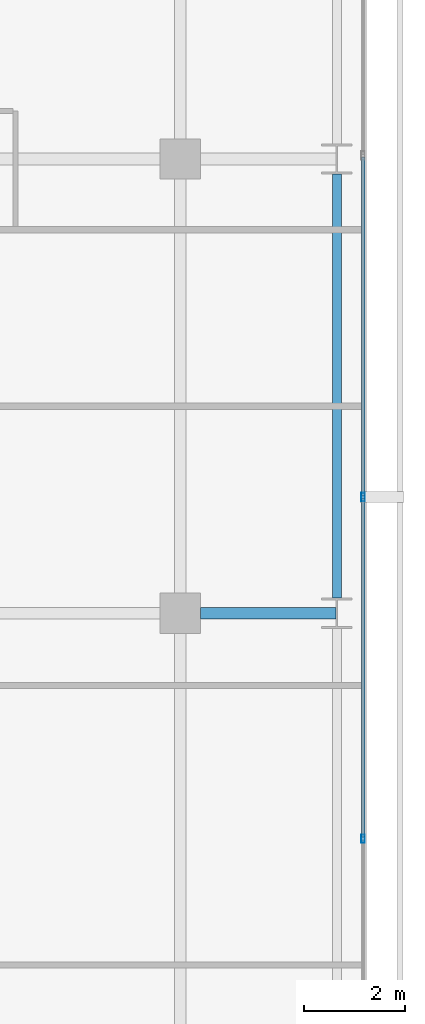
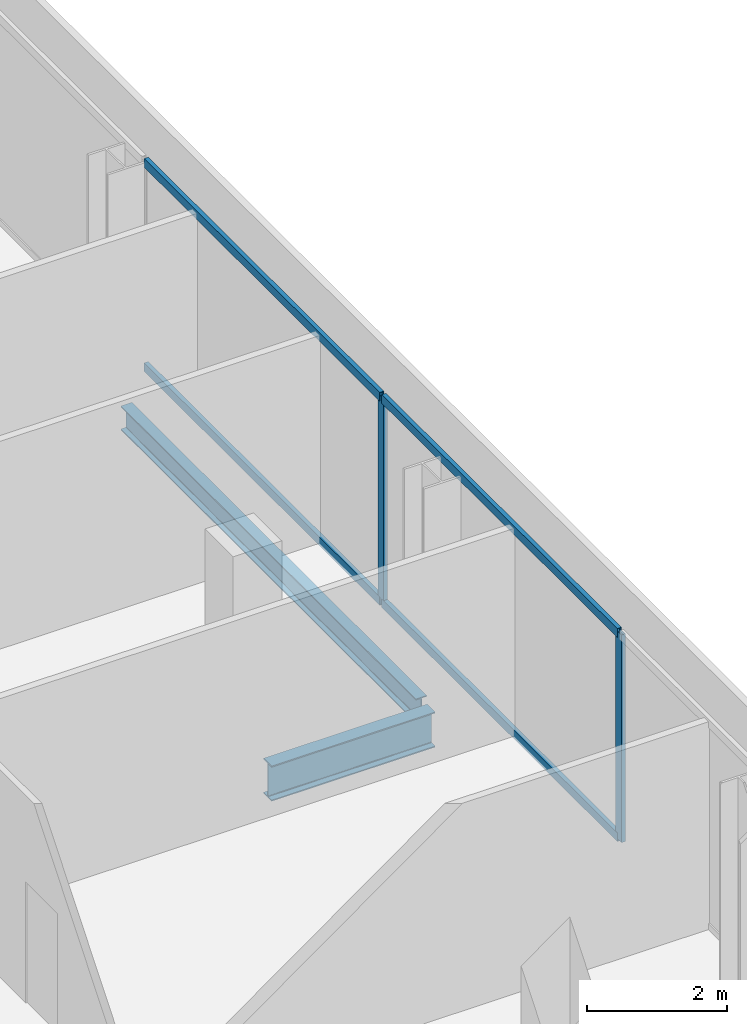
# One storey, part 17 of 33: 6 members, 2 beams, 1 element without a shape of its own.
"""IFC4 building model written with IfcOpenShell, lengths in metres."""

from ifc_helpers import new_model, si_unit, direction, frame, origin, origin_2d, place, context, subcontext, project, spatial, hollow_rectangle, i_section, extrude, material, layer, layer_set, material_profile, profile_set, type_object, element, aggregate, save


model = new_model("IFC4")

# Units and contexts
model_context = context("Model", 3, precision=1e-05, world=origin(), true_north=direction((0.0, 1.0)))
body_context = subcontext(model_context, "Body", "Model", "MODEL_VIEW")
ifc_project = project(units=[si_unit("LENGTHUNIT", "METRE"), si_unit("AREAUNIT", "SQUARE_METRE"), si_unit("VOLUMEUNIT", "CUBIC_METRE"), si_unit("PLANEANGLEUNIT", "RADIAN"), si_unit("MASSUNIT", "GRAM", prefix="KILO")], contexts=[model_context])

# Site, building, storey
site_placement = place(None, origin())
site = spatial("IfcSite", under=ifc_project, at=site_placement, CompositionType="ELEMENT")
building_placement = place(site_placement, origin())
building = spatial("IfcBuilding", under=site, at=building_placement, Name="Maruvema Waterfront Hotel and Observation Tower", CompositionType="ELEMENT")
storey_placement = place(building_placement, frame((0.0, 0.0, 154.35009765625)))
storey = spatial("IfcBuildingStorey", under=building, at=storey_placement, Name="L37", CompositionType="ELEMENT", Elevation=154.35009765625)

# Curtain wall, members
ifc_material_1 = material(Name="Anodised bronze aluminium and solar-control low-E IGU", Category="aluminium")
ifc_layer = layer(ifc_material_1, 0.159912109375, Name="Zone 2 Amber Inner Thermal Curtain Wall System CW-03")
ifc_layer_set = layer_set([ifc_layer], Name="Anodised bronze aluminium and solar-control low-E IGU")
curtain_wall_type = type_object("IfcCurtainWallType", Name="Zone 2 Amber Inner Thermal Curtain Wall System CW-03", PredefinedType="USERDEFINED", material=ifc_layer_set)
curtain_wall_placement = place(storey_placement, origin())
curtain_wall = element("IfcCurtainWall", 1, at=curtain_wall_placement, inside=storey, type_object=curtain_wall_type, Name="L37 Curtain Wall CW-L37-E", ObjectType="UNITISED CURTAIN WALL", PredefinedType="USERDEFINED")
ifc_material_2 = material(Name="Anodised architectural bronze aluminium", Category="aluminium")
ifc_material_profile_1 = material_profile(ifc_material_2, hollow_rectangle(XDim=0.070068359375, YDim=0.14990234375, WallThickness=0.00390625, at=origin_2d()), Name="ALU-T70x150")
ifc_profile_set_1 = profile_set([ifc_material_profile_1], Name="Anodised architectural bronze aluminium")
member_type_1 = type_object("IfcMemberType", Name="Curtain Wall Horizontal Transom ALU-T70x150", PredefinedType="USERDEFINED", material=ifc_profile_set_1)
member_1_placement = place(storey_placement, frame((62.419921875, 22.563232421875, 0.02978515625), z_axis=(0.0, 1.0, 0.0), x_axis=(-1.0, 0.0, 0.0)))
member_1 = element("IfcMember", 2, at=member_1_placement, type_object=member_type_1, Name="CW-03 transom 3.1", ObjectType="TRANSOM", PredefinedType="USERDEFINED", context=body_context, shape_type="SweptSolid", body=[
    extrude(hollow_rectangle(XDim=0.070068359375, YDim=0.14990234375, WallThickness=0.00390625, at=origin_2d()), origin(), (0.0, 0.0, 1.0), 6.706787109375),
])
member_2_placement = place(storey_placement, frame((62.419921875, 22.563232421875, 3.579833984375), z_axis=(0.0, 1.0, 0.0), x_axis=(-1.0, 0.0, 0.0)))
member_2 = element("IfcMember", 3, at=member_2_placement, type_object=member_type_1, Name="CW-03 transom 3.2", ObjectType="TRANSOM", PredefinedType="USERDEFINED", context=body_context, shape_type="SweptSolid", body=[
    extrude(hollow_rectangle(XDim=0.070068359375, YDim=0.14990234375, WallThickness=0.00390625, at=origin_2d()), origin(), (0.0, 0.0, 1.0), 6.706787109375),
])
member_3_placement = place(storey_placement, frame((62.419921875, 29.330078125, 0.02978515625), z_axis=(0.0, 1.0, 0.0), x_axis=(-1.0, 0.0, 0.0)))
member_3 = element("IfcMember", 4, at=member_3_placement, type_object=member_type_1, Name="CW-03 transom 4.1", ObjectType="TRANSOM", PredefinedType="USERDEFINED", context=body_context, shape_type="SweptSolid", body=[
    extrude(hollow_rectangle(XDim=0.070068359375, YDim=0.14990234375, WallThickness=0.00390625, at=origin_2d()), origin(), (0.0, 0.0, 1.0), 6.70654296875),
])
member_4_placement = place(storey_placement, frame((62.419921875, 29.330078125, 3.579833984375), z_axis=(0.0, 1.0, 0.0), x_axis=(-1.0, 0.0, 0.0)))
member_4 = element("IfcMember", 5, at=member_4_placement, type_object=member_type_1, Name="CW-03 transom 4.2", ObjectType="TRANSOM", PredefinedType="USERDEFINED", context=body_context, shape_type="SweptSolid", body=[
    extrude(hollow_rectangle(XDim=0.070068359375, YDim=0.14990234375, WallThickness=0.00390625, at=origin_2d()), origin(), (0.0, 0.0, 1.0), 6.70654296875),
])
ifc_material_3 = material(Name="Anodised architectural bronze aluminium", Category="aluminium")
ifc_material_profile_2 = material_profile(ifc_material_3, hollow_rectangle(XDim=0.06494140625, YDim=0.1650390625, WallThickness=0.00390625, at=origin_2d()), Name="ALU-M65x165")
ifc_profile_set_2 = profile_set([ifc_material_profile_2], Name="Anodised architectural bronze aluminium")
member_type_2 = type_object("IfcMemberType", Name="Curtain Wall Primary Mullion ALU-M65x165", PredefinedType="MULLION", material=ifc_profile_set_2)
member_5_placement = place(storey_placement, frame((62.419921875, 22.533447265625, 0.0), z_axis=(0.0, 0.0, 1.0), x_axis=(-1.0, 0.0, 0.0)))
member_5 = element("IfcMember", 6, at=member_5_placement, type_object=member_type_2, Name="CW-03 mullion 3", PredefinedType="MULLION", context=body_context, shape_type="SweptSolid", body=[
    extrude(hollow_rectangle(XDim=0.06494140625, YDim=0.1650390625, WallThickness=0.00390625, at=origin_2d()), origin(), (0.0, 0.0, 1.0), 3.60986328125),
])
member_6_placement = place(storey_placement, frame((62.419921875, 29.300048828125, 0.0), z_axis=(0.0, 0.0, 1.0), x_axis=(-1.0, 0.0, 0.0)))
member_6 = element("IfcMember", 7, at=member_6_placement, type_object=member_type_2, Name="CW-03 mullion 4", PredefinedType="MULLION", context=body_context, shape_type="SweptSolid", body=[
    extrude(hollow_rectangle(XDim=0.06494140625, YDim=0.1650390625, WallThickness=0.00390625, at=origin_2d()), origin(), (0.0, 0.0, 1.0), 3.60986328125),
])
aggregate(curtain_wall, [member_5, member_6, member_1, member_2, member_3, member_4])

# Beams
ifc_material_4 = material(Name="Steel ASTM A572 Grade 50", Category="steel")
ifc_material_profile_3 = material_profile(ifc_material_4, i_section(OverallWidth=0.180908203125, OverallDepth=0.4169921875, WebThickness=0.010986328125, FlangeThickness=0.018310546875, FilletRadius=0.014892578125, at=origin_2d()), Name="W410x85.0")
ifc_profile_set_3 = profile_set([ifc_material_profile_3], Name="Steel ASTM A572 Grade 50")
beam_type_1 = type_object("IfcBeamType", Name="Perimeter Spandrel Beam W410x85.0", PredefinedType="SPANDREL", material=ifc_profile_set_3)
beam_1_placement = place(storey_placement, frame((61.89990234375, 27.300048828125, -0.448486328125), z_axis=(0.0, 1.0, 0.0), x_axis=(-1.0, 0.0, 0.0)))
element("IfcBeam", 8, at=beam_1_placement, inside=storey, type_object=beam_type_1, Name="L37 Floor Girder NS-31", PredefinedType="SPANDREL", context=body_context, shape_type="SweptSolid", body=[
    extrude(i_section(OverallWidth=0.180908203125, OverallDepth=0.4169921875, WebThickness=0.010986328125, FlangeThickness=0.018310546875, FilletRadius=0.014892578125, at=origin_2d()), origin(), (0.0, 0.0, 1.0), 8.39990234375),
])
ifc_material_5 = material(Name="Steel ASTM A572 Grade 50", Category="steel")
ifc_material_profile_4 = material_profile(ifc_material_5, i_section(OverallWidth=0.22900390625, OverallDepth=0.612060546875, WebThickness=0.011962890625, FlangeThickness=0.01953125, FilletRadius=0.01806640625, at=origin_2d()), Name="W610x125.0")
ifc_profile_set_4 = profile_set([ifc_material_profile_4], Name="Steel ASTM A572 Grade 50")
beam_type_2 = type_object("IfcBeamType", Name="Primary Floor Girder W610x125.0", PredefinedType="BEAM", material=ifc_profile_set_4)
beam_2_placement = place(storey_placement, frame((59.199951171875, 27.0, -0.546142578125), z_axis=(1.0, 0.0, 0.0), x_axis=(0.0, 1.0, 0.0)))
element("IfcBeam", 9, at=beam_2_placement, inside=storey, type_object=beam_type_2, Name="L37 Floor Girder EW-22", PredefinedType="BEAM", context=body_context, shape_type="SweptSolid", body=[
    extrude(i_section(OverallWidth=0.22900390625, OverallDepth=0.612060546875, WebThickness=0.011962890625, FlangeThickness=0.01953125, FilletRadius=0.01806640625, at=origin_2d()), origin(), (0.0, 0.0, 1.0), 2.6875),
])

save(model, "model.ifc")
